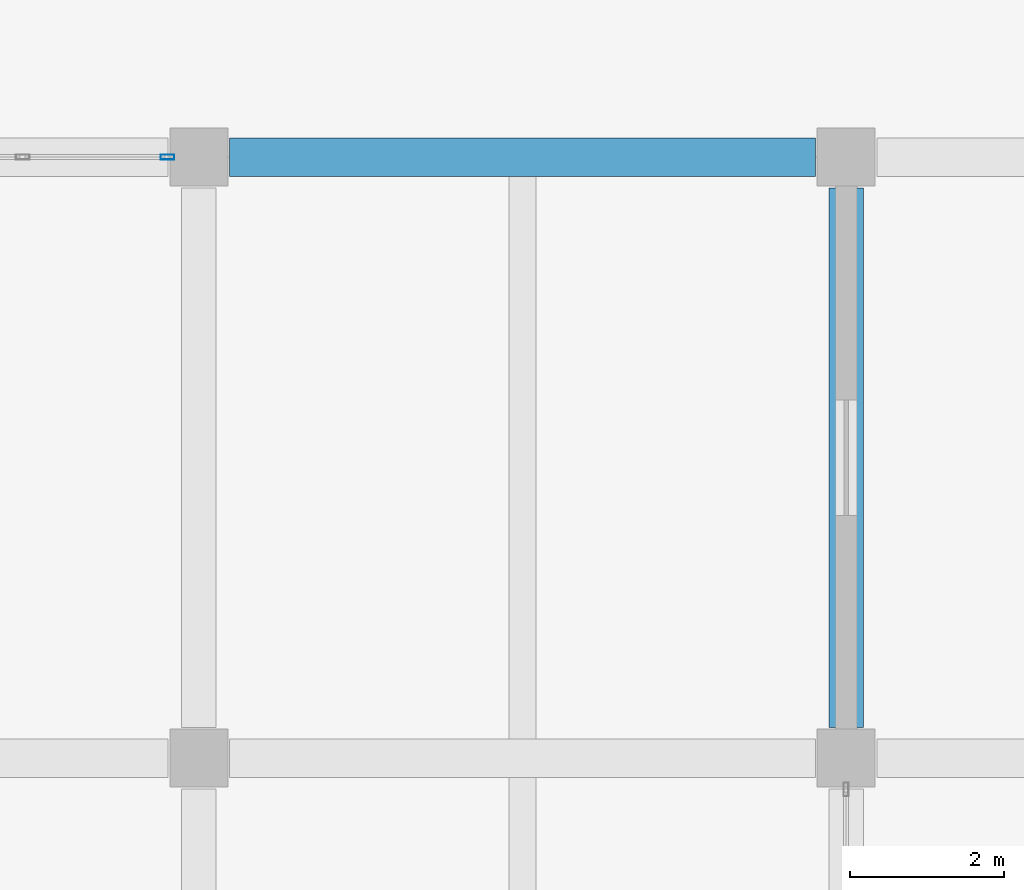
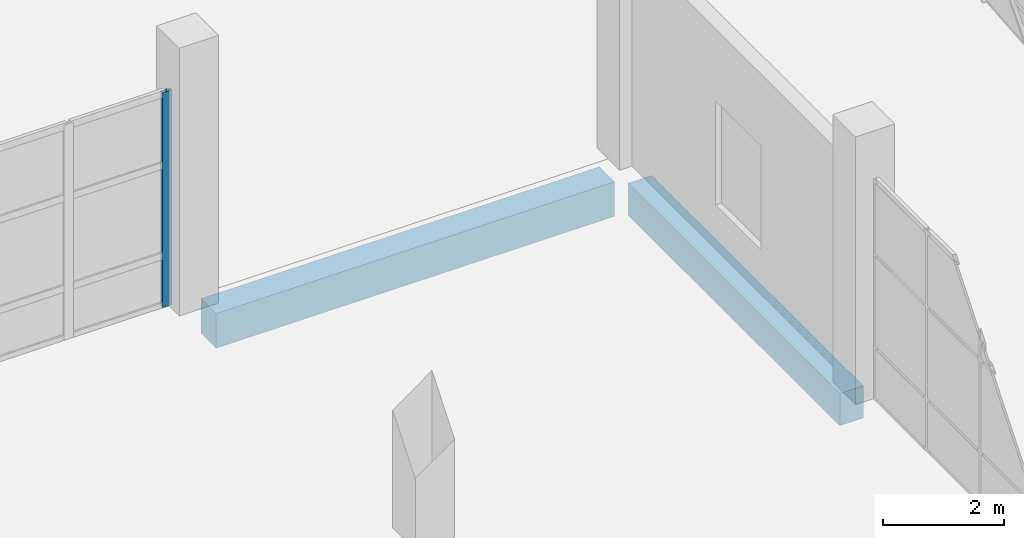
# One storey, part 22 of 78: 2 beams, 1 member, 1 element without a shape of its own.
"""IFC4 building model written with IfcOpenShell, lengths in metres."""

import ifcopenshell
import ifcopenshell.guid

model = None  # the IFC model being written
_history = None  # IfcOwnerHistory: only IFC2X3 demands one
_inside = {}  # id of a spatial element -> (the spatial element, [elements in it])
_under = {}  # id of a project, library or spatial element -> (it, [spatial elements below it])
_declared = {}  # id of a project -> (the project, [libraries it declares])
_typed = {}  # id of a type object -> (the type object, [elements of that type])
_made_of = {}  # id of a material, layer set ... -> (it, [elements and type objects made of it])


def new_model(schema):
    """Start an empty IFC model of exactly this schema.

    Asked for "IFC4X3", IfcOpenShell would pick the latest addendum, in which some entities
    have other attributes; the version numbers below select the first issue.
    IFC2X3 requires an IfcOwnerHistory on every rooted entity: one is made here for all.
    """
    global model, _history
    if schema == "IFC4X3":
        model = ifcopenshell.file(schema_version=(4, 3, 0, 0))
    else:
        model = ifcopenshell.file(schema=schema)
    _inside.clear()
    _under.clear()
    _declared.clear()
    _typed.clear()
    _made_of.clear()
    _history = None
    if model.schema == "IFC2X3":
        org = make("IfcOrganization", Name="unknown")
        user = make(
            "IfcPersonAndOrganization",
            ThePerson=make("IfcPerson", FamilyName="unknown"),
            TheOrganization=org,
        )
        app = make(
            "IfcApplication",
            ApplicationDeveloper=org,
            Version="unknown",
            ApplicationFullName="unknown",
            ApplicationIdentifier="unknown",
        )
        _history = make(
            "IfcOwnerHistory",
            OwningUser=user,
            OwningApplication=app,
            ChangeAction="ADDED",
            CreationDate=0,
        )
    return model


def make(cls, **values):
    """One entity of the class cls with the attributes given. An attribute that is None is left unset."""
    return model.create_entity(
        cls, **{name: value for name, value in values.items() if value is not None}
    )


def rooted(cls, **values):
    """An entity with a GlobalId (a new one), such as an element, a storey or a relation."""
    return make(cls, GlobalId=ifcopenshell.guid.new(), OwnerHistory=_history, **values)


def si_unit(unit_type, name, prefix=None):
    """IfcSIUnit, for example si_unit("LENGTHUNIT", "METRE", prefix="MILLI")."""
    return make("IfcSIUnit", UnitType=unit_type, Prefix=prefix, Name=name)


def assignment(units):
    """IfcUnitAssignment: the units of a project."""
    return None if units is None else make("IfcUnitAssignment", Units=units)


def point(xyz):
    """IfcCartesianPoint."""
    return None if xyz is None else make("IfcCartesianPoint", Coordinates=xyz)


def direction(xyz):
    """IfcDirection."""
    return None if xyz is None else make("IfcDirection", DirectionRatios=xyz)


def frame(location, z_axis=None, x_axis=None):
    """IfcAxis2Placement3D, a coordinate frame: its origin and axes. An axis left out is left unset."""
    return make(
        "IfcAxis2Placement3D",
        Location=point(location),
        Axis=direction(z_axis),
        RefDirection=direction(x_axis),
    )


def frame_2d(location, x_axis=None):
    """IfcAxis2Placement2D, a coordinate frame in the plane: its origin and x axis."""
    return make(
        "IfcAxis2Placement2D", Location=point(location), RefDirection=direction(x_axis)
    )


def origin():
    """The frame at (0, 0, 0) with its axes left unset."""
    return frame((0.0, 0.0, 0.0))


def origin_2d():
    """The frame at (0, 0) in the plane with its x axis left unset."""
    return frame_2d((0.0, 0.0))


def place(relative_to, where):
    """IfcLocalPlacement: puts the frame where relative to a parent placement (None: the world)."""
    return make(
        "IfcLocalPlacement", PlacementRelTo=relative_to, RelativePlacement=where
    )


def context(
    kind, dimensions, precision=None, world=None, true_north=None, identifier=None
):
    """IfcGeometricRepresentationContext, for example the 3D "Model" context."""
    return make(
        "IfcGeometricRepresentationContext",
        ContextIdentifier=identifier,
        ContextType=kind,
        CoordinateSpaceDimension=dimensions,
        Precision=precision,
        WorldCoordinateSystem=world,
        TrueNorth=true_north,
    )


def subcontext(parent, identifier, kind, view, scale=None):
    """IfcGeometricRepresentationSubContext, for example "Body" below "Model"."""
    return make(
        "IfcGeometricRepresentationSubContext",
        ContextIdentifier=identifier,
        ContextType=kind,
        ParentContext=parent,
        TargetScale=scale,
        TargetView=view,
    )


def project(units=None, contexts=None):
    """IfcProject with its units and contexts."""
    return rooted(
        "IfcProject",
        Name="project",
        RepresentationContexts=contexts,
        UnitsInContext=assignment(units),
    )


def spatial(cls, under=None, at=None, **own):
    """A site, building, storey or space (cls), placed at a placement, below another one or the project."""
    s = rooted(cls, ObjectPlacement=at, **own)
    if under is not None:
        _under.setdefault(under.id(), (under, []))[1].append(s)
    return s


def profile(cls, at=None, kind="AREA", **sizes):
    """A parametric profile (cls). Its sizes go by their IFC names, for example OverallWidth=200.0."""
    return make(cls, ProfileType=kind, Position=at, **sizes)


def rectangle(**sizes):
    """IfcRectangleProfileDef."""
    return profile("IfcRectangleProfileDef", **sizes)


def hollow_rectangle(**sizes):
    """IfcRectangleHollowProfileDef."""
    return profile("IfcRectangleHollowProfileDef", **sizes)


def extrude(swept, where, along, depth):
    """IfcExtrudedAreaSolid: the profile swept, set in the frame where, extruded along a direction by depth."""
    return make(
        "IfcExtrudedAreaSolid",
        SweptArea=swept,
        Position=where,
        ExtrudedDirection=direction(along),
        Depth=depth,
    )


def shape(context_of_items, identifier, shape_type, items):
    """IfcShapeRepresentation: the items that make up one representation, for example the "Body"."""
    return make(
        "IfcShapeRepresentation",
        ContextOfItems=context_of_items,
        RepresentationIdentifier=identifier,
        RepresentationType=shape_type,
        Items=items,
    )


def material(Name=None, Category=None):
    """IfcMaterial."""
    return make("IfcMaterial", Name=Name, Category=Category)


def material_profile(
    of_material, cross_section, Name=None, Category=None, Priority=None
):
    """IfcMaterialProfile: a cross section and its material."""
    return make(
        "IfcMaterialProfile",
        Name=Name,
        Material=of_material,
        Profile=cross_section,
        Priority=Priority,
        Category=Category,
    )


def profile_set(profiles, Name=None, composite=None):
    """IfcMaterialProfileSet."""
    return make(
        "IfcMaterialProfileSet",
        Name=Name,
        MaterialProfiles=profiles,
        CompositeProfile=composite,
    )


def made_of(thing, what):
    """Note that an element or type object is made of a material, layer set ...; save() writes the relation."""
    if what is not None:
        _made_of.setdefault(what.id(), (what, []))[1].append(thing)
    return thing


def type_object(cls, material=None, **own):
    """A type object (cls), such as IfcWallType, which elements share."""
    return made_of(rooted(cls, **own), material)


def element(
    cls,
    number,
    at=None,
    inside=None,
    cuts=None,
    type_object=None,
    material=None,
    context=None,
    identifier="Body",
    shape_type=None,
    held_by="IfcProductDefinitionShape",
    body=None,
    shapes=None,
    **own,
):
    """One element of the class cls, such as IfcWall. Its Tag is "e" and its number.

    at: its placement. inside: the storey or other place that contains it. cuts: it is an
    opening in that element (IfcRelVoidsElement). A single representation is given by context,
    identifier, shape_type and body (its items); several are given by shapes. held_by: the class
    of the entity that holds the representations. save() writes the other relations.
    """
    e = rooted(cls, Tag="e%d" % number, ObjectPlacement=at, **own)
    if body is not None:
        shapes = [shape(context, identifier, shape_type, body)]
    if shapes is not None:
        e.Representation = make(held_by, Representations=shapes)
    if inside is not None:
        _inside.setdefault(inside.id(), (inside, []))[1].append(e)
    if cuts is not None:
        rooted(
            "IfcRelVoidsElement", RelatingBuildingElement=cuts, RelatedOpeningElement=e
        )
    if type_object is not None:
        _typed.setdefault(type_object.id(), (type_object, []))[1].append(e)
    return made_of(e, material)


def aggregate(whole, parts):
    """IfcRelAggregates: a whole, such as a stair, and the parts it consists of."""
    return rooted("IfcRelAggregates", RelatingObject=whole, RelatedObjects=parts)


def save(model, path):
    """Write the relations noted so far, then the file.

    IfcRelAggregates (storeys below a building ...), IfcRelContainedInSpatialStructure (elements
    in a storey), IfcRelDefinesByType, IfcRelAssociatesMaterial and IfcRelDeclares: one each for
    every whole, place, type object, material and project.
    """
    for whole, parts in _under.values():
        aggregate(whole, parts)
    for where, things in _inside.values():
        rooted(
            "IfcRelContainedInSpatialStructure",
            RelatedElements=things,
            RelatingStructure=where,
        )
    for kind, things in _typed.values():
        rooted("IfcRelDefinesByType", RelatedObjects=things, RelatingType=kind)
    for what, things in _made_of.values():
        rooted("IfcRelAssociatesMaterial", RelatedObjects=things, RelatingMaterial=what)
    for by, libraries in _declared.values():
        rooted("IfcRelDeclares", RelatingContext=by, RelatedDefinitions=libraries)
    model.write(path)


model = new_model("IFC4")

# Units and contexts
model_context = context("Model", 3, precision=1e-05, world=origin(), true_north=direction((0.0, 1.0)))
body_context = subcontext(model_context, "Body", "Model", "MODEL_VIEW")
ifc_project = project(units=[si_unit("LENGTHUNIT", "METRE"), si_unit("AREAUNIT", "SQUARE_METRE"), si_unit("VOLUMEUNIT", "CUBIC_METRE"), si_unit("PLANEANGLEUNIT", "RADIAN"), si_unit("MASSUNIT", "GRAM", prefix="KILO")], contexts=[model_context])

# Site, building, storey
site_placement = place(None, origin())
site = spatial("IfcSite", under=ifc_project, at=site_placement, CompositionType="ELEMENT")
building_placement = place(site_placement, origin())
building = spatial("IfcBuilding", under=site, at=building_placement, Name="Pellamere Symphony Hall", CompositionType="ELEMENT")
storey_placement = place(building_placement, origin())
storey = spatial("IfcBuildingStorey", under=building, at=storey_placement, Name="L00", CompositionType="ELEMENT", Elevation=0.0)

# Curtain wall, member
ifc_material_1 = material(Name="Thermally Broken Anodised Aluminium 6063-T6 Curtain Wall", Category="aluminium")
curtain_wall_type = type_object("IfcCurtainWallType", Name="Curtain Wall CW-04 (Chamber Music Lobby Curtain Wall)", PredefinedType="NOTDEFINED", material=ifc_material_1)
curtain_wall_placement = place(storey_placement, origin())
curtain_wall = element("IfcCurtainWall", 1, at=curtain_wall_placement, inside=storey, type_object=curtain_wall_type, Name="Chamber Garden North Curtain Wall (L00 Bay 2)", PredefinedType="NOTDEFINED")
ifc_material_2 = material(Name="Anodised Architectural Aluminium 6063-T6", Category="aluminium")
ifc_material_profile_1 = material_profile(ifc_material_2, hollow_rectangle(XDim=0.06494140625, YDim=0.179931640625, WallThickness=0.00390625, at=origin_2d()), Name="ALU-M65X180X4")
ifc_profile_set_1 = profile_set([ifc_material_profile_1], Name="Anodised Architectural Aluminium 6063-T6")
member_type = type_object("IfcMemberType", Name="Curtain Wall Mullion ML-02 ALU-M65X180X4", PredefinedType="MULLION", material=ifc_profile_set_1)
member_placement = place(storey_placement, frame((33.1923828125, 54.0, 0.0), z_axis=(0.0, 0.0, 1.0), x_axis=(0.0, 1.0, 0.0)))
member = element("IfcMember", 2, at=member_placement, type_object=member_type, Name="CW4N-113 crystal mullion 5", PredefinedType="MULLION", context=body_context, shape_type="SweptSolid", body=[
    extrude(hollow_rectangle(XDim=0.06494140625, YDim=0.179931640625, WallThickness=0.00390625, at=origin_2d()), origin(), (0.0, 0.0, 1.0), 4.340087890625),
])
aggregate(curtain_wall, [member])

# Beams
ifc_material_3 = material(Name="Concrete 40 MPa", Category="concrete")
ifc_material_profile_2 = material_profile(ifc_material_3, rectangle(XDim=0.5, YDim=0.699951171875, at=origin_2d()), Name="RC 500x700")
ifc_profile_set_2 = profile_set([ifc_material_profile_2], Name="Concrete 40 MPa")
beam_type_1 = type_object("IfcBeamType", Name="RC CB-07 500x700", PredefinedType="BEAM", material=ifc_profile_set_2)
beam_1_placement = place(storey_placement, frame((34.0, 54.0, -0.64990234375), z_axis=(1.0, 0.0, 0.0), x_axis=(0.0, 1.0, 0.0)))
element("IfcBeam", 3, at=beam_1_placement, inside=storey, type_object=beam_type_1, Name="Girder CB-07-X0114 (L00)", PredefinedType="BEAM", context=body_context, shape_type="SweptSolid", body=[
    extrude(rectangle(XDim=0.5, YDim=0.699951171875, at=origin_2d()), origin(), (0.0, 0.0, 1.0), 7.60009765625),
])
ifc_material_profile_3 = material_profile(ifc_material_3, rectangle(XDim=0.449951171875, YDim=0.64990234375, at=origin_2d()), Name="RC 450x650")
ifc_profile_set_3 = profile_set([ifc_material_profile_3], Name="Concrete 40 MPa")
beam_type_2 = type_object("IfcBeamType", Name="RC CB-08 450x650", PredefinedType="BEAM", material=ifc_profile_set_3)
beam_2_placement = place(storey_placement, frame((42.0, 46.60009765625, -0.625), z_axis=(0.0, 1.0, 0.0), x_axis=(-1.0, 0.0, 0.0)))
element("IfcBeam", 4, at=beam_2_placement, inside=storey, type_object=beam_type_2, Name="Girder CB-08-Y0232 (L00)", PredefinedType="BEAM", context=body_context, shape_type="SweptSolid", body=[
    extrude(rectangle(XDim=0.449951171875, YDim=0.64990234375, at=origin_2d()), origin(), (0.0, 0.0, 1.0), 7.0),
])

save(model, "model.ifc")
